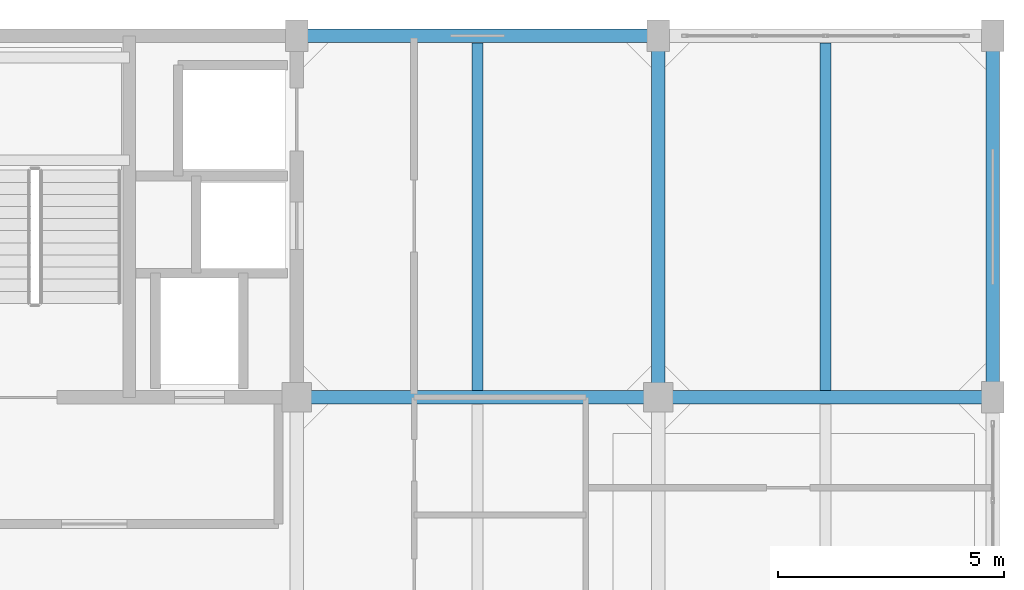
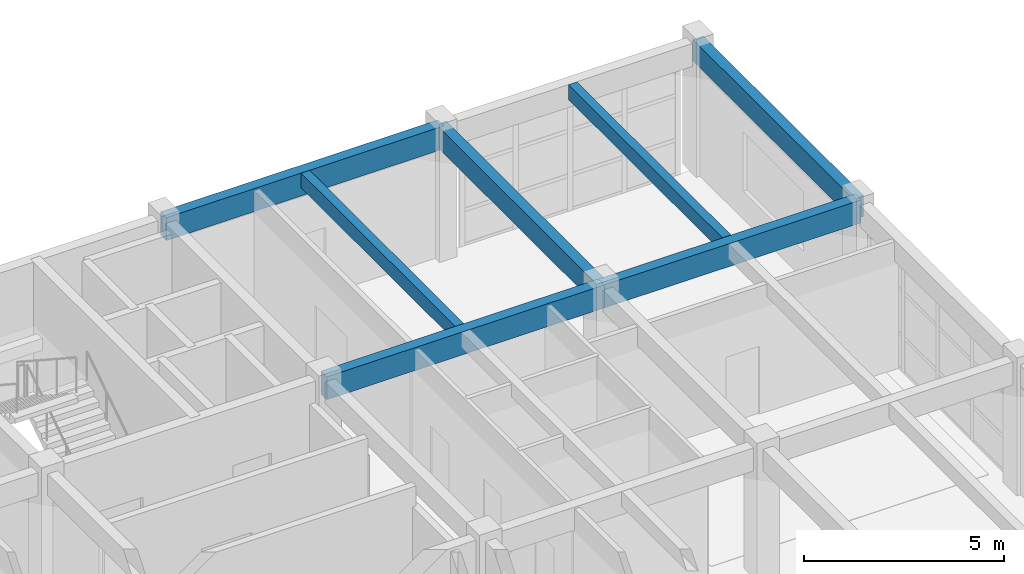
# One storey, part 11 of 18: 7 beams.
"""IFC4 building model written with IfcOpenShell, lengths in metres."""

import ifcopenshell
import ifcopenshell.guid

model = None  # the IFC model being written
_history = None  # IfcOwnerHistory: only IFC2X3 demands one
_inside = {}  # id of a spatial element -> (the spatial element, [elements in it])
_under = {}  # id of a project, library or spatial element -> (it, [spatial elements below it])
_declared = {}  # id of a project -> (the project, [libraries it declares])
_typed = {}  # id of a type object -> (the type object, [elements of that type])
_made_of = {}  # id of a material, layer set ... -> (it, [elements and type objects made of it])


def new_model(schema):
    """Start an empty IFC model of exactly this schema.

    Asked for "IFC4X3", IfcOpenShell would pick the latest addendum, in which some entities
    have other attributes; the version numbers below select the first issue.
    IFC2X3 requires an IfcOwnerHistory on every rooted entity: one is made here for all.
    """
    global model, _history
    if schema == "IFC4X3":
        model = ifcopenshell.file(schema_version=(4, 3, 0, 0))
    else:
        model = ifcopenshell.file(schema=schema)
    _inside.clear()
    _under.clear()
    _declared.clear()
    _typed.clear()
    _made_of.clear()
    _history = None
    if model.schema == "IFC2X3":
        org = make("IfcOrganization", Name="unknown")
        user = make(
            "IfcPersonAndOrganization",
            ThePerson=make("IfcPerson", FamilyName="unknown"),
            TheOrganization=org,
        )
        app = make(
            "IfcApplication",
            ApplicationDeveloper=org,
            Version="unknown",
            ApplicationFullName="unknown",
            ApplicationIdentifier="unknown",
        )
        _history = make(
            "IfcOwnerHistory",
            OwningUser=user,
            OwningApplication=app,
            ChangeAction="ADDED",
            CreationDate=0,
        )
    return model


def make(cls, **values):
    """One entity of the class cls with the attributes given. An attribute that is None is left unset."""
    return model.create_entity(
        cls, **{name: value for name, value in values.items() if value is not None}
    )


def rooted(cls, **values):
    """An entity with a GlobalId (a new one), such as an element, a storey or a relation."""
    return make(cls, GlobalId=ifcopenshell.guid.new(), OwnerHistory=_history, **values)


def si_unit(unit_type, name, prefix=None):
    """IfcSIUnit, for example si_unit("LENGTHUNIT", "METRE", prefix="MILLI")."""
    return make("IfcSIUnit", UnitType=unit_type, Prefix=prefix, Name=name)


def assignment(units):
    """IfcUnitAssignment: the units of a project."""
    return None if units is None else make("IfcUnitAssignment", Units=units)


def point(xyz):
    """IfcCartesianPoint."""
    return None if xyz is None else make("IfcCartesianPoint", Coordinates=xyz)


def direction(xyz):
    """IfcDirection."""
    return None if xyz is None else make("IfcDirection", DirectionRatios=xyz)


def frame(location, z_axis=None, x_axis=None):
    """IfcAxis2Placement3D, a coordinate frame: its origin and axes. An axis left out is left unset."""
    return make(
        "IfcAxis2Placement3D",
        Location=point(location),
        Axis=direction(z_axis),
        RefDirection=direction(x_axis),
    )


def frame_2d(location, x_axis=None):
    """IfcAxis2Placement2D, a coordinate frame in the plane: its origin and x axis."""
    return make(
        "IfcAxis2Placement2D", Location=point(location), RefDirection=direction(x_axis)
    )


def origin():
    """The frame at (0, 0, 0) with its axes left unset."""
    return frame((0.0, 0.0, 0.0))


def origin_2d():
    """The frame at (0, 0) in the plane with its x axis left unset."""
    return frame_2d((0.0, 0.0))


def place(relative_to, where):
    """IfcLocalPlacement: puts the frame where relative to a parent placement (None: the world)."""
    return make(
        "IfcLocalPlacement", PlacementRelTo=relative_to, RelativePlacement=where
    )


def context(
    kind, dimensions, precision=None, world=None, true_north=None, identifier=None
):
    """IfcGeometricRepresentationContext, for example the 3D "Model" context."""
    return make(
        "IfcGeometricRepresentationContext",
        ContextIdentifier=identifier,
        ContextType=kind,
        CoordinateSpaceDimension=dimensions,
        Precision=precision,
        WorldCoordinateSystem=world,
        TrueNorth=true_north,
    )


def subcontext(parent, identifier, kind, view, scale=None):
    """IfcGeometricRepresentationSubContext, for example "Body" below "Model"."""
    return make(
        "IfcGeometricRepresentationSubContext",
        ContextIdentifier=identifier,
        ContextType=kind,
        ParentContext=parent,
        TargetScale=scale,
        TargetView=view,
    )


def project(units=None, contexts=None):
    """IfcProject with its units and contexts."""
    return rooted(
        "IfcProject",
        Name="project",
        RepresentationContexts=contexts,
        UnitsInContext=assignment(units),
    )


def spatial(cls, under=None, at=None, **own):
    """A site, building, storey or space (cls), placed at a placement, below another one or the project."""
    s = rooted(cls, ObjectPlacement=at, **own)
    if under is not None:
        _under.setdefault(under.id(), (under, []))[1].append(s)
    return s


def profile(cls, at=None, kind="AREA", **sizes):
    """A parametric profile (cls). Its sizes go by their IFC names, for example OverallWidth=200.0."""
    return make(cls, ProfileType=kind, Position=at, **sizes)


def rectangle(**sizes):
    """IfcRectangleProfileDef."""
    return profile("IfcRectangleProfileDef", **sizes)


def extrude(swept, where, along, depth):
    """IfcExtrudedAreaSolid: the profile swept, set in the frame where, extruded along a direction by depth."""
    return make(
        "IfcExtrudedAreaSolid",
        SweptArea=swept,
        Position=where,
        ExtrudedDirection=direction(along),
        Depth=depth,
    )


def shape(context_of_items, identifier, shape_type, items):
    """IfcShapeRepresentation: the items that make up one representation, for example the "Body"."""
    return make(
        "IfcShapeRepresentation",
        ContextOfItems=context_of_items,
        RepresentationIdentifier=identifier,
        RepresentationType=shape_type,
        Items=items,
    )


def material(Name=None, Category=None):
    """IfcMaterial."""
    return make("IfcMaterial", Name=Name, Category=Category)


def material_profile(
    of_material, cross_section, Name=None, Category=None, Priority=None
):
    """IfcMaterialProfile: a cross section and its material."""
    return make(
        "IfcMaterialProfile",
        Name=Name,
        Material=of_material,
        Profile=cross_section,
        Priority=Priority,
        Category=Category,
    )


def profile_set(profiles, Name=None, composite=None):
    """IfcMaterialProfileSet."""
    return make(
        "IfcMaterialProfileSet",
        Name=Name,
        MaterialProfiles=profiles,
        CompositeProfile=composite,
    )


def made_of(thing, what):
    """Note that an element or type object is made of a material, layer set ...; save() writes the relation."""
    if what is not None:
        _made_of.setdefault(what.id(), (what, []))[1].append(thing)
    return thing


def type_object(cls, material=None, **own):
    """A type object (cls), such as IfcWallType, which elements share."""
    return made_of(rooted(cls, **own), material)


def element(
    cls,
    number,
    at=None,
    inside=None,
    cuts=None,
    type_object=None,
    material=None,
    context=None,
    identifier="Body",
    shape_type=None,
    held_by="IfcProductDefinitionShape",
    body=None,
    shapes=None,
    **own,
):
    """One element of the class cls, such as IfcWall. Its Tag is "e" and its number.

    at: its placement. inside: the storey or other place that contains it. cuts: it is an
    opening in that element (IfcRelVoidsElement). A single representation is given by context,
    identifier, shape_type and body (its items); several are given by shapes. held_by: the class
    of the entity that holds the representations. save() writes the other relations.
    """
    e = rooted(cls, Tag="e%d" % number, ObjectPlacement=at, **own)
    if body is not None:
        shapes = [shape(context, identifier, shape_type, body)]
    if shapes is not None:
        e.Representation = make(held_by, Representations=shapes)
    if inside is not None:
        _inside.setdefault(inside.id(), (inside, []))[1].append(e)
    if cuts is not None:
        rooted(
            "IfcRelVoidsElement", RelatingBuildingElement=cuts, RelatedOpeningElement=e
        )
    if type_object is not None:
        _typed.setdefault(type_object.id(), (type_object, []))[1].append(e)
    return made_of(e, material)


def aggregate(whole, parts):
    """IfcRelAggregates: a whole, such as a stair, and the parts it consists of."""
    return rooted("IfcRelAggregates", RelatingObject=whole, RelatedObjects=parts)


def save(model, path):
    """Write the relations noted so far, then the file.

    IfcRelAggregates (storeys below a building ...), IfcRelContainedInSpatialStructure (elements
    in a storey), IfcRelDefinesByType, IfcRelAssociatesMaterial and IfcRelDeclares: one each for
    every whole, place, type object, material and project.
    """
    for whole, parts in _under.values():
        aggregate(whole, parts)
    for where, things in _inside.values():
        rooted(
            "IfcRelContainedInSpatialStructure",
            RelatedElements=things,
            RelatingStructure=where,
        )
    for kind, things in _typed.values():
        rooted("IfcRelDefinesByType", RelatedObjects=things, RelatingType=kind)
    for what, things in _made_of.values():
        rooted("IfcRelAssociatesMaterial", RelatedObjects=things, RelatingMaterial=what)
    for by, libraries in _declared.values():
        rooted("IfcRelDeclares", RelatingContext=by, RelatedDefinitions=libraries)
    model.write(path)


model = new_model("IFC4")

# Units and contexts
model_context = context("Model", 3, precision=1e-05, world=origin(), true_north=direction((0.0, 1.0)))
body_context = subcontext(model_context, "Body", "Model", "MODEL_VIEW")
ifc_project = project(units=[si_unit("LENGTHUNIT", "METRE"), si_unit("AREAUNIT", "SQUARE_METRE"), si_unit("VOLUMEUNIT", "CUBIC_METRE"), si_unit("PLANEANGLEUNIT", "RADIAN"), si_unit("MASSUNIT", "GRAM", prefix="KILO")], contexts=[model_context])

# Site, building, storey
site_placement = place(None, origin())
site = spatial("IfcSite", under=ifc_project, at=site_placement, CompositionType="ELEMENT")
building_placement = place(site_placement, origin())
building = spatial("IfcBuilding", under=site, at=building_placement, Name="Canggui Botanical Conservatory", CompositionType="ELEMENT")
storey_placement = place(building_placement, frame((0.0, 0.0, 61.199951171875)))
storey = spatial("IfcBuildingStorey", under=building, at=storey_placement, Name="L15", CompositionType="ELEMENT", Elevation=61.199951171875)

# Beams
ifc_material = material(Name="Concrete C35", Category="concrete")
ifc_material_profile_1 = material_profile(ifc_material, rectangle(XDim=0.25, YDim=0.449951171875, at=origin_2d()), Name="RB 250x450")
ifc_profile_set_1 = profile_set([ifc_material_profile_1], Name="Concrete C35")
beam_type_1 = type_object("IfcBeamType", Name="BM-JST05", PredefinedType="JOIST", material=ifc_profile_set_1)
for number, where, z_axis, x_axis, name in (
    (1, (166.0, 58.155029296875, 3.735107421875), (0.0, 1.0, 0.0), (-1.0, 0.0, 0.0), "Secondary Floor Joist L15-3-3"),
    (2, (173.699951171875, 58.155029296875, 3.735107421875), (0.0, 1.0, 0.0), (-1.0, 0.0, 0.0), "Secondary Floor Joist L15-4-3"),
):
    element("IfcBeam", number, at=place(storey_placement, frame(where, z_axis=z_axis, x_axis=x_axis)), inside=storey, type_object=beam_type_1, Name=name, PredefinedType="JOIST", context=body_context, shape_type="SweptSolid", body=[
        extrude(rectangle(XDim=0.25, YDim=0.449951171875, at=origin_2d()), origin(), (0.0, 0.0, 1.0), 7.68994140625),
    ])
ifc_material_profile_2 = material_profile(ifc_material, rectangle(XDim=0.300048828125, YDim=0.699951171875, at=origin_2d()), Name="RB 300x700")
ifc_profile_set_2 = profile_set([ifc_material_profile_2], Name="Concrete C35")
beam_type_2 = type_object("IfcBeamType", Name="BM-KL21", PredefinedType="BEAM", material=ifc_profile_set_2)
beam_1_placement = place(storey_placement, frame((162.0, 58.0, 3.610107421875), z_axis=(1.0, 0.0, 0.0), x_axis=(0.0, 1.0, 0.0)))
element("IfcBeam", 3, at=beam_1_placement, inside=storey, type_object=beam_type_2, Name="Frame Girder L15 Y58-3", PredefinedType="BEAM", context=body_context, shape_type="SweptSolid", body=[
    extrude(rectangle(XDim=0.300048828125, YDim=0.699951171875, at=origin_2d()), origin(), (0.0, 0.0, 1.0), 8.0),
])
beam_2_placement = place(storey_placement, frame((170.0, 58.0, 3.610107421875), z_axis=(1.0, 0.0, 0.0), x_axis=(0.0, 1.0, 0.0)))
element("IfcBeam", 4, at=beam_2_placement, inside=storey, type_object=beam_type_2, Name="Frame Girder L15 Y58-4", PredefinedType="BEAM", context=body_context, shape_type="SweptSolid", body=[
    extrude(rectangle(XDim=0.300048828125, YDim=0.699951171875, at=origin_2d()), origin(), (0.0, 0.0, 1.0), 7.39990234375),
])
beam_3_placement = place(storey_placement, frame((162.0, 66.0, 3.610107421875), z_axis=(1.0, 0.0, 0.0), x_axis=(0.0, 1.0, 0.0)))
element("IfcBeam", 5, at=beam_3_placement, inside=storey, type_object=beam_type_2, Name="Frame Girder L15 Y66-3", PredefinedType="BEAM", context=body_context, shape_type="SweptSolid", body=[
    extrude(rectangle(XDim=0.300048828125, YDim=0.699951171875, at=origin_2d()), origin(), (0.0, 0.0, 1.0), 8.0),
])
ifc_material_profile_3 = material_profile(ifc_material, rectangle(XDim=0.300048828125, YDim=0.64990234375, at=origin_2d()), Name="RB 300x650")
ifc_profile_set_3 = profile_set([ifc_material_profile_3], Name="Concrete C35")
beam_type_3 = type_object("IfcBeamType", Name="BM-KL22", PredefinedType="BEAM", material=ifc_profile_set_3)
for number, where, z_axis, x_axis, name in (
    (6, (170.0, 58.0, 3.635009765625), (0.0, 1.0, 0.0), (-1.0, 0.0, 0.0), "Frame Girder L15 X170-3"),
    (7, (177.39990234375, 58.0, 3.635009765625), (0.0, 1.0, 0.0), (-1.0, 0.0, 0.0), "Frame Girder L15 X178-3"),
):
    element("IfcBeam", number, at=place(storey_placement, frame(where, z_axis=z_axis, x_axis=x_axis)), inside=storey, type_object=beam_type_3, Name=name, PredefinedType="BEAM", context=body_context, shape_type="SweptSolid", body=[
        extrude(rectangle(XDim=0.300048828125, YDim=0.64990234375, at=origin_2d()), origin(), (0.0, 0.0, 1.0), 8.0),
    ])

save(model, "model.ifc")
